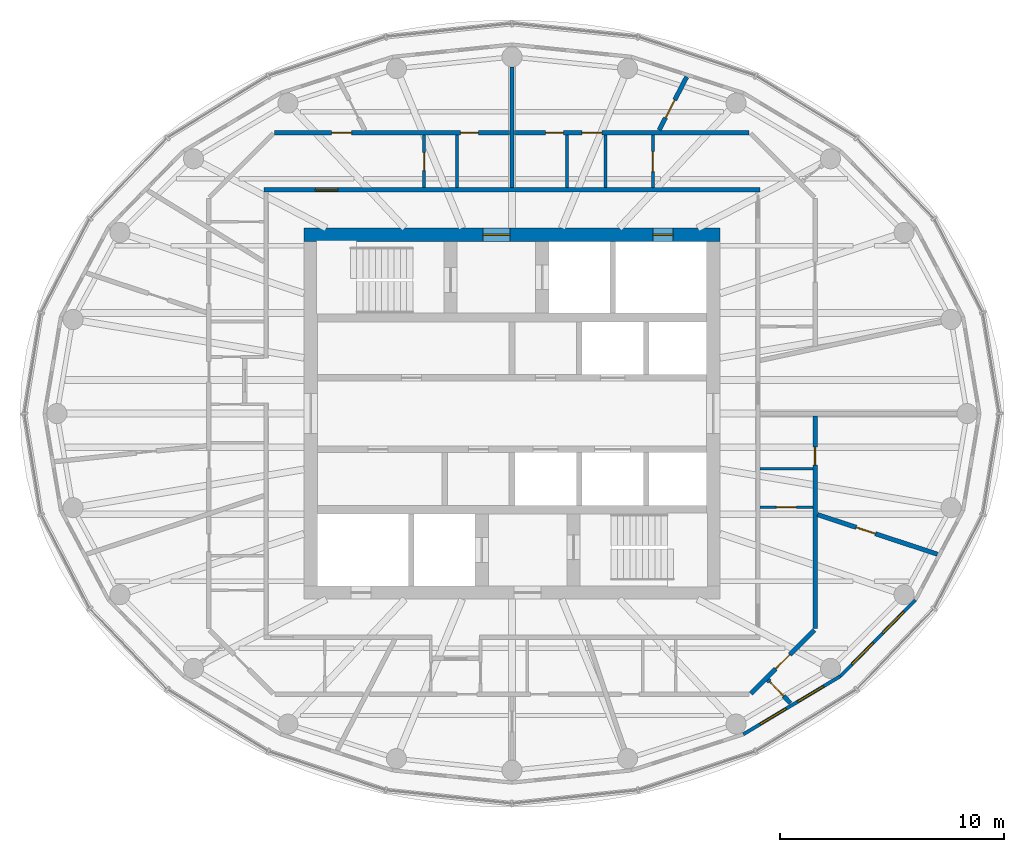
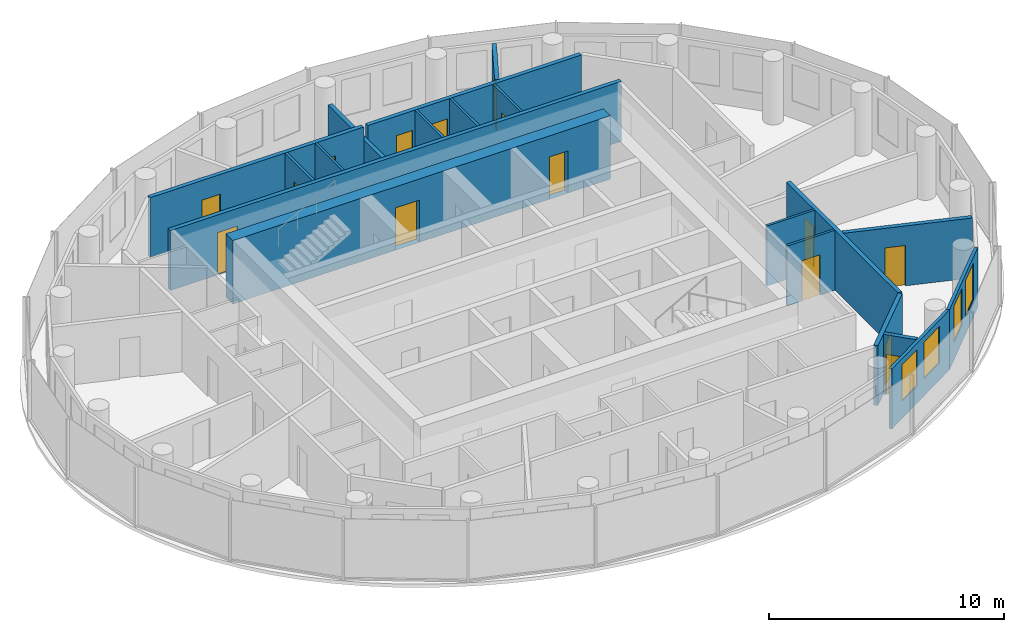
# One storey, part 8 of 11: 19 walls, 15 doors, 4 windows, 19 openings.
"""IFC4 building model written with IfcOpenShell, lengths in metres."""

from ifc_helpers import new_model, si_unit, direction, frame, frame_2d, origin, place, context, subcontext, project, spatial, rectangle, extrude, material, layer, layer_set, type_object, element, fill, save


model = new_model("IFC4")

# Units and contexts
model_context = context("Model", 3, precision=1e-05, world=origin(), true_north=direction((0.0, 1.0)))
body_context = subcontext(model_context, "Body", "Model", "MODEL_VIEW")
ifc_project = project(units=[si_unit("LENGTHUNIT", "METRE"), si_unit("AREAUNIT", "SQUARE_METRE"), si_unit("VOLUMEUNIT", "CUBIC_METRE"), si_unit("PLANEANGLEUNIT", "RADIAN"), si_unit("MASSUNIT", "GRAM", prefix="KILO")], contexts=[model_context])

# Site, building, storey
site_placement = place(None, origin())
site = spatial("IfcSite", under=ifc_project, at=site_placement, CompositionType="ELEMENT")
building_placement = place(site_placement, origin())
building = spatial("IfcBuilding", under=site, at=building_placement, Name="Hankou Lantern Tower", CompositionType="ELEMENT")
storey_placement = place(building_placement, frame((0.0, 0.0, 202.800048828125)))
storey = spatial("IfcBuildingStorey", under=building, at=storey_placement, Name="L54", CompositionType="ELEMENT", Elevation=202.800048828125)

# Wall, openings, doors
ifc_material_1 = material(Name="Concrete C60", Category="concrete")
ifc_layer_1 = layer(ifc_material_1, 0.60009765625)
ifc_layer_set_1 = layer_set([ifc_layer_1], Name="Concrete C60")
wall_type_1 = type_object("IfcWallType", Name="CW3 CORE WALL 600", PredefinedType="SHEAR", material=ifc_layer_set_1)
wall_1_placement = place(storey_placement, frame((-9.300048828125, 8.0, 0.0), z_axis=(0.0, 0.0, 1.0), x_axis=(1.0, 0.0, 0.0)))
wall_1 = element("IfcWall", 1, at=wall_1_placement, inside=storey, type_object=wall_type_1, Name="Core wall north L54", PredefinedType="SHEAR", context=body_context, shape_type="SweptSolid", body=[
    extrude(rectangle(XDim=18.60009765625, YDim=0.60009765625, at=frame_2d((9.300048828125, 0.0))), origin(), (0.0, 0.0, 1.0), 3.300048828125),
])
opening_1_placement = place(wall_1_placement, frame((8.0, 0.0, 0.0)))
opening_1 = element("IfcOpeningElement", 2, at=opening_1_placement, cuts=wall_1, Name="Opening D5", PredefinedType="OPENING", context=body_context, shape_type="SweptSolid", body=[
    extrude(rectangle(XDim=1.199951171875, YDim=2.199951171875, at=frame_2d((0.60009765625, 1.10009765625))), frame((0.0, 0.31005859375, 0.0), z_axis=(0.0, -1.0, 0.0), x_axis=(1.0, 0.0, 0.0)), (0.0, 0.0, 1.0), 0.6201171875),
])
opening_2_placement = place(wall_1_placement, frame((15.60009765625, 0.0, 0.0)))
opening_2 = element("IfcOpeningElement", 3, at=opening_2_placement, cuts=wall_1, Name="Opening D7", PredefinedType="OPENING", context=body_context, shape_type="SweptSolid", body=[
    extrude(rectangle(XDim=0.89990234375, YDim=2.199951171875, at=frame_2d((0.449951171875, 1.10009765625))), frame((0.0, 0.31005859375, 0.0), z_axis=(0.0, -1.0, 0.0), x_axis=(1.0, 0.0, 0.0)), (0.0, 0.0, 1.0), 0.6201171875),
])
ifc_material_2 = material(Name="Steel door leaf", Category="steel")
door_type_1 = type_object("IfcDoorType", Name="D5 STAIR LOBBY DOOR 1200X2200", OperationType="SINGLE_SWING_LEFT", PredefinedType="DOOR", material=ifc_material_2)
door_1_placement = place(opening_1_placement, origin())
door_1 = element("IfcDoor", 4, at=door_1_placement, inside=storey, type_object=door_type_1, Name="Stair A lobby door", OperationType="SINGLE_SWING_LEFT", OverallHeight=2.199951171875, OverallWidth=1.199951171875, PredefinedType="DOOR", context=body_context, shape_type="SweptSolid", body=[
    extrude(rectangle(XDim=1.199951171875, YDim=2.199951171875, at=frame_2d((0.60009765625, 1.10009765625))), frame((0.0, 0.02490234375, 0.0), z_axis=(0.0, -1.0, 0.0), x_axis=(1.0, 0.0, 0.0)), (0.0, 0.0, 1.0), 0.050048828125),
])
fill(opening_1, door_1)
ifc_material_3 = material(Name="Steel door leaf", Category="steel")
door_type_2 = type_object("IfcDoorType", Name="D7 RISER DOOR 900X2200", OperationType="SINGLE_SWING_LEFT", PredefinedType="DOOR", material=ifc_material_3)
door_2_placement = place(opening_2_placement, origin())
door_2 = element("IfcDoor", 5, at=door_2_placement, inside=storey, type_object=door_type_2, Name="Riser N1 door", OperationType="SINGLE_SWING_RIGHT", OverallHeight=2.199951171875, OverallWidth=0.89990234375, PredefinedType="DOOR", context=body_context, shape_type="SweptSolid", body=[
    extrude(rectangle(XDim=0.89990234375, YDim=2.199951171875, at=frame_2d((0.449951171875, 1.10009765625))), frame((0.0, 0.02490234375, 0.0), z_axis=(0.0, -1.0, 0.0), x_axis=(1.0, 0.0, 0.0)), (0.0, 0.0, 1.0), 0.050048828125),
])
fill(opening_2, door_2)

# Wall, openings, windows
ifc_material_4 = material(Name="Aluminium spandrel panel on steel studs", Category="steel")
ifc_layer_2 = layer(ifc_material_4, 0.14990234375)
ifc_layer_set_2 = layer_set([ifc_layer_2], Name="Aluminium spandrel panel on steel studs")
wall_type_2 = type_object("IfcWallType", Name="EW1 INNER SKIN WALL 150", PredefinedType="ELEMENTEDWALL", material=ifc_layer_set_2)
wall_2_placement = place(storey_placement, frame((10.346435546875, -14.33642578125, 0.0), z_axis=(0.0, 0.0, 1.0), x_axis=(0.85822150553, 0.513279502265, 0.0)))
wall_2 = element("IfcWall", 6, at=wall_2_placement, inside=storey, type_object=wall_type_2, Name="Inner skin R21-R22 L54", PredefinedType="ELEMENTEDWALL", context=body_context, shape_type="SweptSolid", body=[
    extrude(rectangle(XDim=5.050048828125, YDim=0.14990234375, at=frame_2d((2.52490234375, 0.0))), origin(), (0.0, 0.0, 1.0), 3.119873046875),
])
opening_3_placement = place(wall_2_placement, frame((0.875, 0.0, 0.89990234375)))
opening_3 = element("IfcOpeningElement", 7, at=opening_3_placement, cuts=wall_2, Name="Opening W4", PredefinedType="OPENING", context=body_context, shape_type="SweptSolid", body=[
    extrude(rectangle(XDim=1.35009765625, YDim=1.89990234375, at=frame_2d((0.675048828125, 0.949951171875))), frame((0.0, 0.0849609375, 0.0), z_axis=(0.0, -1.0, 0.0), x_axis=(1.0, 0.0, 0.0)), (0.0, 0.0, 1.0), 0.169921875),
])
opening_4_placement = place(wall_2_placement, frame((2.824951171875, 0.0, 0.89990234375)))
opening_4 = element("IfcOpeningElement", 8, at=opening_4_placement, cuts=wall_2, Name="Opening W4", PredefinedType="OPENING", context=body_context, shape_type="SweptSolid", body=[
    extrude(rectangle(XDim=1.35009765625, YDim=1.89990234375, at=frame_2d((0.675048828125, 0.949951171875))), frame((0.0, 0.0849609375, 0.0), z_axis=(0.0, -1.0, 0.0), x_axis=(1.0, 0.0, 0.0)), (0.0, 0.0, 1.0), 0.169921875),
])
ifc_material_5 = material(Name="Aluminium framed double glazed window", Category="aluminium")
window_type = type_object("IfcWindowType", Name="W4 SUITE WINDOW 1350X1900", PartitioningType="DOUBLE_PANEL_VERTICAL", PredefinedType="WINDOW", material=ifc_material_5)
window_1_placement = place(opening_3_placement, origin())
window_1 = element("IfcWindow", 9, at=window_1_placement, inside=storey, type_object=window_type, Name="Window R21.1 L54", OverallHeight=1.89990234375, OverallWidth=1.35009765625, PartitioningType="SINGLE_PANEL", PredefinedType="WINDOW", context=body_context, shape_type="SweptSolid", body=[
    extrude(rectangle(XDim=1.35009765625, YDim=1.89990234375, at=frame_2d((0.675048828125, 0.949951171875))), frame((0.0, 0.030029296875, 0.0), z_axis=(0.0, -1.0, 0.0), x_axis=(1.0, 0.0, 0.0)), (0.0, 0.0, 1.0), 0.06005859375),
])
fill(opening_3, window_1)
window_2_placement = place(opening_4_placement, origin())
window_2 = element("IfcWindow", 10, at=window_2_placement, inside=storey, type_object=window_type, Name="Window R21.2 L54", OverallHeight=1.89990234375, OverallWidth=1.35009765625, PartitioningType="SINGLE_PANEL", PredefinedType="WINDOW", context=body_context, shape_type="SweptSolid", body=[
    extrude(rectangle(XDim=1.35009765625, YDim=1.89990234375, at=frame_2d((0.675048828125, 0.949951171875))), frame((0.0, 0.030029296875, 0.0), z_axis=(0.0, -1.0, 0.0), x_axis=(1.0, 0.0, 0.0)), (0.0, 0.0, 1.0), 0.06005859375),
])
fill(opening_4, window_2)

wall_3_placement = place(storey_placement, frame((14.680419921875, -11.744384765625, 0.0), z_axis=(0.0, 0.0, 1.0), x_axis=(0.701527379618, 0.712642501993, 0.0)))
wall_3 = element("IfcWall", 11, at=wall_3_placement, inside=storey, type_object=wall_type_2, Name="Inner skin R22-R23 L54", PredefinedType="ELEMENTEDWALL", context=body_context, shape_type="SweptSolid", body=[
    extrude(rectangle(XDim=4.788330078125, YDim=0.14990234375, at=frame_2d((2.39404296875, 0.0))), origin(), (0.0, 0.0, 1.0), 3.119873046875),
])
opening_5_placement = place(wall_3_placement, frame((0.744140625, 0.0, 0.89990234375)))
opening_5 = element("IfcOpeningElement", 12, at=opening_5_placement, cuts=wall_3, Name="Opening W4", PredefinedType="OPENING", context=body_context, shape_type="SweptSolid", body=[
    extrude(rectangle(XDim=1.35009765625, YDim=1.89990234375, at=frame_2d((0.675048828125, 0.949951171875))), frame((0.0, 0.0849609375, 0.0), z_axis=(0.0, -1.0, 0.0), x_axis=(1.0, 0.0, 0.0)), (0.0, 0.0, 1.0), 0.169921875),
])
opening_6_placement = place(wall_3_placement, frame((2.694091796875, 0.0, 0.89990234375)))
opening_6 = element("IfcOpeningElement", 13, at=opening_6_placement, cuts=wall_3, Name="Opening W4", PredefinedType="OPENING", context=body_context, shape_type="SweptSolid", body=[
    extrude(rectangle(XDim=1.35009765625, YDim=1.89990234375, at=frame_2d((0.675048828125, 0.949951171875))), frame((0.0, 0.0849609375, 0.0), z_axis=(0.0, -1.0, 0.0), x_axis=(1.0, 0.0, 0.0)), (0.0, 0.0, 1.0), 0.169921875),
])
window_3_placement = place(opening_5_placement, origin())
window_3 = element("IfcWindow", 14, at=window_3_placement, inside=storey, type_object=window_type, Name="Window R22.1 L54", OverallHeight=1.89990234375, OverallWidth=1.35009765625, PartitioningType="SINGLE_PANEL", PredefinedType="WINDOW", context=body_context, shape_type="SweptSolid", body=[
    extrude(rectangle(XDim=1.35009765625, YDim=1.89990234375, at=frame_2d((0.675048828125, 0.949951171875))), frame((0.0, 0.030029296875, 0.0), z_axis=(0.0, -1.0, 0.0), x_axis=(1.0, 0.0, 0.0)), (0.0, 0.0, 1.0), 0.06005859375),
])
fill(opening_5, window_3)
window_4_placement = place(opening_6_placement, origin())
window_4 = element("IfcWindow", 15, at=window_4_placement, inside=storey, type_object=window_type, Name="Window R22.2 L54", OverallHeight=1.89990234375, OverallWidth=1.35009765625, PartitioningType="SINGLE_PANEL", PredefinedType="WINDOW", context=body_context, shape_type="SweptSolid", body=[
    extrude(rectangle(XDim=1.35009765625, YDim=1.89990234375, at=frame_2d((0.675048828125, 0.949951171875))), frame((0.0, 0.030029296875, 0.0), z_axis=(0.0, -1.0, 0.0), x_axis=(1.0, 0.0, 0.0)), (0.0, 0.0, 1.0), 0.06005859375),
])
fill(opening_6, window_4)

# Wall
ifc_material_6 = material(Name="Masonry lightweight concrete block", Category="masonry")
ifc_layer_3 = layer(ifc_material_6, 0.199951171875)
ifc_layer_set_3 = layer_set([ifc_layer_3], Name="Masonry lightweight concrete block")
wall_type_3 = type_object("IfcWallType", Name="IW1 GUEST ROOM PARTY WALL 200", PredefinedType="PARTITIONING", material=ifc_layer_set_3)
wall_4_placement = place(storey_placement, frame((0.0, 10.10009765625, 0.0), z_axis=(0.0, 0.0, 1.0), x_axis=(0.0, 1.0, 0.0)))
element("IfcWall", 16, at=wall_4_placement, inside=storey, type_object=wall_type_3, Name="Party wall R07", PredefinedType="PARTITIONING", context=body_context, shape_type="SweptSolid", body=[
    extrude(rectangle(XDim=5.39990234375, YDim=0.199951171875, at=frame_2d((2.699951171875, 0.0))), origin(), (0.0, 0.0, 1.0), 2.419921875),
])

# Wall, opening, door
ifc_material_7 = material(Name="Masonry lightweight concrete block", Category="masonry")
ifc_layer_4 = layer(ifc_material_7, 0.199951171875)
ifc_layer_set_4 = layer_set([ifc_layer_4], Name="Masonry lightweight concrete block")
wall_type_4 = type_object("IfcWallType", Name="IW2 CORRIDOR WALL 200", PredefinedType="PARTITIONING", material=ifc_layer_set_4)
wall_5_placement = place(storey_placement, frame((-11.10009765625, 10.0, 0.0), z_axis=(0.0, 0.0, 1.0), x_axis=(1.0, 0.0, 0.0)))
wall_5 = element("IfcWall", 17, at=wall_5_placement, inside=storey, type_object=wall_type_4, Name="Corridor wall north", PredefinedType="PARTITIONING", context=body_context, shape_type="SweptSolid", body=[
    extrude(rectangle(XDim=22.2001953125, YDim=0.199951171875, at=frame_2d((11.10009765625, 0.0))), origin(), (0.0, 0.0, 1.0), 3.119873046875),
])
opening_7_placement = place(wall_5_placement, frame((2.30908203125, 0.0, 0.0)))
opening_7 = element("IfcOpeningElement", 18, at=opening_7_placement, cuts=wall_5, Name="Opening D2", PredefinedType="OPENING", context=body_context, shape_type="SweptSolid", body=[
    extrude(rectangle(XDim=1.0, YDim=2.199951171875, at=frame_2d((0.5, 1.10009765625))), frame((0.0, 0.10986328125, 0.0), z_axis=(0.0, -1.0, 0.0), x_axis=(1.0, 0.0, 0.0)), (0.0, 0.0, 1.0), 0.219970703125),
])
ifc_material_8 = material(Name="Steel door leaf", Category="steel")
door_type_3 = type_object("IfcDoorType", Name="D2 SUITE DOOR 1000X2200", OperationType="SINGLE_SWING_LEFT", PredefinedType="DOOR", material=ifc_material_8)
door_3_placement = place(opening_7_placement, origin())
door_3 = element("IfcDoor", 19, at=door_3_placement, inside=storey, type_object=door_type_3, Name="Suite door 5403", OperationType="SINGLE_SWING_RIGHT", OverallHeight=2.199951171875, OverallWidth=1.0, PredefinedType="DOOR", context=body_context, shape_type="SweptSolid", body=[
    extrude(rectangle(XDim=1.0, YDim=2.199951171875, at=frame_2d((0.5, 1.10009765625))), frame((0.0, 0.02490234375, 0.0), z_axis=(0.0, -1.0, 0.0), x_axis=(1.0, 0.0, 0.0)), (0.0, 0.0, 1.0), 0.050048828125),
])
fill(opening_7, door_3)

ifc_material_9 = material(Name="Masonry lightweight concrete block", Category="masonry")
ifc_layer_5 = layer(ifc_material_9, 0.1201171875)
ifc_layer_set_5 = layer_set([ifc_layer_5], Name="Masonry lightweight concrete block")
wall_type_5 = type_object("IfcWallType", Name="IW3 BATHROOM WALL 120", PredefinedType="PARTITIONING", material=ifc_layer_set_5)
wall_6_placement = place(storey_placement, frame((6.301025390625, 10.10009765625, 0.0), z_axis=(0.0, 0.0, 1.0), x_axis=(0.0, 1.0, 0.0)))
wall_6 = element("IfcWall", 20, at=wall_6_placement, inside=storey, type_object=wall_type_5, Name="Box wall 5402 2", PredefinedType="PARTITIONING", context=body_context, shape_type="SweptSolid", body=[
    extrude(rectangle(XDim=2.349853515625, YDim=0.1201171875, at=frame_2d((1.1748046875, 0.0))), origin(), (0.0, 0.0, 1.0), 3.119873046875),
])
opening_8_placement = place(wall_6_placement, frame((0.719970703125, 0.0, 0.0)))
opening_8 = element("IfcOpeningElement", 21, at=opening_8_placement, cuts=wall_6, Name="Opening D27", PredefinedType="OPENING", context=body_context, shape_type="SweptSolid", body=[
    extrude(rectangle(XDim=0.89990234375, YDim=2.10009765625, at=frame_2d((0.449951171875, 1.050048828125))), frame((0.0, 0.070068359375, 0.0), z_axis=(0.0, -1.0, 0.0), x_axis=(1.0, 0.0, 0.0)), (0.0, 0.0, 1.0), 0.14013671875),
])
ifc_material_10 = material(Name="Timber door leaf", Category="wood")
door_type_4 = type_object("IfcDoorType", Name="D27 INTERNAL DOOR 900X2100", OperationType="SINGLE_SWING_LEFT", PredefinedType="DOOR", material=ifc_material_10)
door_4_placement = place(opening_8_placement, origin())
door_4 = element("IfcDoor", 22, at=door_4_placement, inside=storey, type_object=door_type_4, Name="Corner suite 5402 pantry door", OperationType="SINGLE_SWING_LEFT", OverallHeight=2.10009765625, OverallWidth=0.89990234375, PredefinedType="DOOR", context=body_context, shape_type="SweptSolid", body=[
    extrude(rectangle(XDim=0.89990234375, YDim=2.10009765625, at=frame_2d((0.449951171875, 1.050048828125))), frame((0.0, 0.02490234375, 0.0), z_axis=(0.0, -1.0, 0.0), x_axis=(1.0, 0.0, 0.0)), (0.0, 0.0, 1.0), 0.050048828125),
])
fill(opening_8, door_4)

# Walls
for number, where, z_axis, x_axis, name in (
    (23, (4.180908203125, 10.10009765625, 0.0), (0.0, 0.0, 1.0), (0.0, 1.0, 0.0), "Box wall 5402 3"),
    (24, (2.4609375, 10.10009765625, 0.0), (0.0, 0.0, 1.0), (0.0, 1.0, 0.0), "Box wall 5402 4"),
    (25, (-2.4609375, 10.10009765625, 0.0), (0.0, 0.0, 1.0), (0.0, 1.0, 0.0), "Box wall 5403 1"),
):
    element("IfcWall", number, at=place(storey_placement, frame(where, z_axis=z_axis, x_axis=x_axis)), inside=storey, type_object=wall_type_5, Name=name, PredefinedType="PARTITIONING", context=body_context, shape_type="SweptSolid", body=[
        extrude(rectangle(XDim=2.349853515625, YDim=0.1201171875, at=frame_2d((1.1748046875, 0.0))), origin(), (0.0, 0.0, 1.0), 3.119873046875),
    ])

# Wall, opening, door
wall_7_placement = place(storey_placement, frame((-3.930908203125, 10.10009765625, 0.0), z_axis=(0.0, 0.0, 1.0), x_axis=(0.0, 1.0, 0.0)))
wall_7 = element("IfcWall", 26, at=wall_7_placement, inside=storey, type_object=wall_type_5, Name="Box wall 5403 2", PredefinedType="PARTITIONING", context=body_context, shape_type="SweptSolid", body=[
    extrude(rectangle(XDim=2.349853515625, YDim=0.1201171875, at=frame_2d((1.1748046875, 0.0))), origin(), (0.0, 0.0, 1.0), 3.119873046875),
])
opening_9_placement = place(wall_7_placement, frame((0.77001953125, 0.0, 0.0)))
opening_9 = element("IfcOpeningElement", 27, at=opening_9_placement, cuts=wall_7, Name="Opening D3", PredefinedType="OPENING", context=body_context, shape_type="SweptSolid", body=[
    extrude(rectangle(XDim=0.800048828125, YDim=2.10009765625, at=frame_2d((0.39990234375, 1.050048828125))), frame((0.0, 0.070068359375, 0.0), z_axis=(0.0, -1.0, 0.0), x_axis=(1.0, 0.0, 0.0)), (0.0, 0.0, 1.0), 0.14013671875),
])
ifc_material_11 = material(Name="Timber door leaf", Category="wood")
door_type_5 = type_object("IfcDoorType", Name="D3 BATHROOM DOOR 800X2100", OperationType="SINGLE_SWING_LEFT", PredefinedType="DOOR", material=ifc_material_11)
door_5_placement = place(opening_9_placement, origin())
door_5 = element("IfcDoor", 28, at=door_5_placement, inside=storey, type_object=door_type_5, Name="Suite 5403 guest WC door", OperationType="SINGLE_SWING_LEFT", OverallHeight=2.10009765625, OverallWidth=0.800048828125, PredefinedType="DOOR", context=body_context, shape_type="SweptSolid", body=[
    extrude(rectangle(XDim=0.800048828125, YDim=2.10009765625, at=frame_2d((0.39990234375, 1.050048828125))), frame((0.0, 0.02490234375, 0.0), z_axis=(0.0, -1.0, 0.0), x_axis=(1.0, 0.0, 0.0)), (0.0, 0.0, 1.0), 0.050048828125),
])
fill(opening_9, door_5)

wall_8_placement = place(storey_placement, frame((11.10009765625, -4.180908203125, 0.0), z_axis=(0.0, 0.0, 1.0), x_axis=(1.0, 0.0, 0.0)))
wall_8 = element("IfcWall", 29, at=wall_8_placement, inside=storey, type_object=wall_type_5, Name="Box wall 5407 3", PredefinedType="PARTITIONING", context=body_context, shape_type="SweptSolid", body=[
    extrude(rectangle(XDim=2.349853515625, YDim=0.1201171875, at=frame_2d((1.1748046875, 0.0))), origin(), (0.0, 0.0, 1.0), 3.119873046875),
])
opening_10_placement = place(wall_8_placement, frame((0.719970703125, 0.0, 0.0)))
opening_10 = element("IfcOpeningElement", 30, at=opening_10_placement, cuts=wall_8, Name="Opening D27", PredefinedType="OPENING", context=body_context, shape_type="SweptSolid", body=[
    extrude(rectangle(XDim=0.89990234375, YDim=2.10009765625, at=frame_2d((0.449951171875, 1.050048828125))), frame((0.0, 0.070068359375, 0.0), z_axis=(0.0, -1.0, 0.0), x_axis=(1.0, 0.0, 0.0)), (0.0, 0.0, 1.0), 0.14013671875),
])
door_6_placement = place(opening_10_placement, origin())
door_6 = element("IfcDoor", 31, at=door_6_placement, inside=storey, type_object=door_type_4, Name="Family suite 5407 walk-in wardrobe door", OperationType="SINGLE_SWING_LEFT", OverallHeight=2.10009765625, OverallWidth=0.89990234375, PredefinedType="DOOR", context=body_context, shape_type="SweptSolid", body=[
    extrude(rectangle(XDim=0.89990234375, YDim=2.10009765625, at=frame_2d((0.449951171875, 1.050048828125))), frame((0.0, 0.02490234375, 0.0), z_axis=(0.0, -1.0, 0.0), x_axis=(1.0, 0.0, 0.0)), (0.0, 0.0, 1.0), 0.050048828125),
])
fill(opening_10, door_6)

# Wall
wall_9_placement = place(storey_placement, frame((11.10009765625, -2.4609375, 0.0), z_axis=(0.0, 0.0, 1.0), x_axis=(1.0, 0.0, 0.0)))
element("IfcWall", 32, at=wall_9_placement, inside=storey, type_object=wall_type_5, Name="Box wall 5407 4", PredefinedType="PARTITIONING", context=body_context, shape_type="SweptSolid", body=[
    extrude(rectangle(XDim=2.349853515625, YDim=0.1201171875, at=frame_2d((1.1748046875, 0.0))), origin(), (0.0, 0.0, 1.0), 3.119873046875),
])

# Wall, openings, doors
ifc_material_12 = material(Name="Masonry lightweight concrete block", Category="masonry")
ifc_layer_6 = layer(ifc_material_12, 0.199951171875)
ifc_layer_set_6 = layer_set([ifc_layer_6], Name="Masonry lightweight concrete block")
wall_type_6 = type_object("IfcWallType", Name="IW6 SUITE PARTITION 200", PredefinedType="PARTITIONING", material=ifc_layer_set_6)
wall_10_placement = place(storey_placement, frame((10.608642578125, 12.550048828125, 0.0), z_axis=(0.0, 0.0, 1.0), x_axis=(-1.0, 0.0, 0.0)))
wall_10 = element("IfcWall", 33, at=wall_10_placement, inside=storey, type_object=wall_type_6, Name="Suite foyer wall 5402", PredefinedType="PARTITIONING", context=body_context, shape_type="SweptSolid", body=[
    extrude(rectangle(XDim=10.507568359375, YDim=0.199951171875, at=frame_2d((5.25390625, 0.0))), origin(), (0.0, 0.0, 1.0), 3.119873046875),
])
opening_11_placement = place(wall_10_placement, frame((6.587646484375, 0.0, 0.0)))
opening_11 = element("IfcOpeningElement", 34, at=opening_11_placement, cuts=wall_10, Name="Opening D27", PredefinedType="OPENING", context=body_context, shape_type="SweptSolid", body=[
    extrude(rectangle(XDim=0.89990234375, YDim=2.10009765625, at=frame_2d((0.449951171875, 1.050048828125))), frame((0.0, 0.10986328125, 0.0), z_axis=(0.0, -1.0, 0.0), x_axis=(1.0, 0.0, 0.0)), (0.0, 0.0, 1.0), 0.219970703125),
])
opening_12_placement = place(wall_10_placement, frame((8.3076171875, 0.0, 0.0)))
opening_12 = element("IfcOpeningElement", 35, at=opening_12_placement, cuts=wall_10, Name="Opening D3", PredefinedType="OPENING", context=body_context, shape_type="SweptSolid", body=[
    extrude(rectangle(XDim=0.800048828125, YDim=2.10009765625, at=frame_2d((0.39990234375, 1.050048828125))), frame((0.0, 0.10986328125, 0.0), z_axis=(0.0, -1.0, 0.0), x_axis=(1.0, 0.0, 0.0)), (0.0, 0.0, 1.0), 0.219970703125),
])
door_7_placement = place(opening_11_placement, origin())
door_7 = element("IfcDoor", 36, at=door_7_placement, inside=storey, type_object=door_type_4, Name="Corner suite 5402 walk-in wardrobe door", OperationType="SINGLE_SWING_LEFT", OverallHeight=2.10009765625, OverallWidth=0.89990234375, PredefinedType="DOOR", context=body_context, shape_type="SweptSolid", body=[
    extrude(rectangle(XDim=0.89990234375, YDim=2.10009765625, at=frame_2d((0.449951171875, 1.050048828125))), frame((0.0, 0.02490234375, 0.0), z_axis=(0.0, -1.0, 0.0), x_axis=(1.0, 0.0, 0.0)), (0.0, 0.0, 1.0), 0.050048828125),
])
fill(opening_11, door_7)
door_8_placement = place(opening_12_placement, origin())
door_8 = element("IfcDoor", 37, at=door_8_placement, inside=storey, type_object=door_type_5, Name="Corner suite 5402 bathroom door", OperationType="SINGLE_SWING_LEFT", OverallHeight=2.10009765625, OverallWidth=0.800048828125, PredefinedType="DOOR", context=body_context, shape_type="SweptSolid", body=[
    extrude(rectangle(XDim=0.800048828125, YDim=2.10009765625, at=frame_2d((0.39990234375, 1.050048828125))), frame((0.0, 0.02490234375, 0.0), z_axis=(0.0, -1.0, 0.0), x_axis=(1.0, 0.0, 0.0)), (0.0, 0.0, 1.0), 0.050048828125),
])
fill(opening_12, door_8)

# Wall, opening, door
wall_11_placement = place(storey_placement, frame((6.578125, 12.676513671875, 0.0), z_axis=(0.0, 0.0, 1.0), x_axis=(0.460620531465, 0.887597164255, 0.0)))
wall_11 = element("IfcWall", 38, at=wall_11_placement, inside=storey, type_object=wall_type_6, Name="Suite partition R05-R06", PredefinedType="PARTITIONING", context=body_context, shape_type="SweptSolid", body=[
    extrude(rectangle(XDim=2.677734375, YDim=0.199951171875, at=frame_2d((1.3388671875, 0.0))), origin(), (0.0, 0.0, 1.0), 3.119873046875),
])
opening_13_placement = place(wall_11_placement, frame((0.6201171875, 0.0, 0.0)))
opening_13 = element("IfcOpeningElement", 39, at=opening_13_placement, cuts=wall_11, Name="Opening D27", PredefinedType="OPENING", context=body_context, shape_type="SweptSolid", body=[
    extrude(rectangle(XDim=0.89990234375, YDim=2.10009765625, at=frame_2d((0.449951171875, 1.050048828125))), frame((0.0, 0.10986328125, 0.0), z_axis=(0.0, -1.0, 0.0), x_axis=(1.0, 0.0, 0.0)), (0.0, 0.0, 1.0), 0.219970703125),
])
door_9_placement = place(opening_13_placement, origin())
door_9 = element("IfcDoor", 40, at=door_9_placement, inside=storey, type_object=door_type_4, Name="Corner suite 5402 bedroom door", OperationType="SINGLE_SWING_LEFT", OverallHeight=2.10009765625, OverallWidth=0.89990234375, PredefinedType="DOOR", context=body_context, shape_type="SweptSolid", body=[
    extrude(rectangle(XDim=0.89990234375, YDim=2.10009765625, at=frame_2d((0.449951171875, 1.050048828125))), frame((0.0, 0.02490234375, 0.0), z_axis=(0.0, -1.0, 0.0), x_axis=(1.0, 0.0, 0.0)), (0.0, 0.0, 1.0), 0.050048828125),
])
fill(opening_13, door_9)

# Wall, openings, doors
wall_12_placement = place(storey_placement, frame((-0.10107421875, 12.550048828125, 0.0), z_axis=(0.0, 0.0, 1.0), x_axis=(-1.0, 0.0, 0.0)))
wall_12 = element("IfcWall", 41, at=wall_12_placement, inside=storey, type_object=wall_type_6, Name="Suite foyer wall 5403", PredefinedType="PARTITIONING", context=body_context, shape_type="SweptSolid", body=[
    extrude(rectangle(XDim=10.507568359375, YDim=0.199951171875, at=frame_2d((5.25390625, 0.0))), origin(), (0.0, 0.0, 1.0), 3.119873046875),
])
opening_14_placement = place(wall_12_placement, frame((1.39990234375, 0.0, 0.0)))
opening_14 = element("IfcOpeningElement", 42, at=opening_14_placement, cuts=wall_12, Name="Opening D3", PredefinedType="OPENING", context=body_context, shape_type="SweptSolid", body=[
    extrude(rectangle(XDim=0.800048828125, YDim=2.10009765625, at=frame_2d((0.39990234375, 1.050048828125))), frame((0.0, 0.10986328125, 0.0), z_axis=(0.0, -1.0, 0.0), x_axis=(1.0, 0.0, 0.0)), (0.0, 0.0, 1.0), 0.219970703125),
])
opening_15_placement = place(wall_12_placement, frame((7.070068359375, 0.0, 0.0)))
opening_15 = element("IfcOpeningElement", 43, at=opening_15_placement, cuts=wall_12, Name="Opening D27", PredefinedType="OPENING", context=body_context, shape_type="SweptSolid", body=[
    extrude(rectangle(XDim=0.89990234375, YDim=2.10009765625, at=frame_2d((0.449951171875, 1.050048828125))), frame((0.0, 0.10986328125, 0.0), z_axis=(0.0, -1.0, 0.0), x_axis=(1.0, 0.0, 0.0)), (0.0, 0.0, 1.0), 0.219970703125),
])
door_10_placement = place(opening_15_placement, origin())
door_10 = element("IfcDoor", 44, at=door_10_placement, inside=storey, type_object=door_type_4, Name="Suite 5403 living room door", OperationType="SINGLE_SWING_LEFT", OverallHeight=2.10009765625, OverallWidth=0.89990234375, PredefinedType="DOOR", context=body_context, shape_type="SweptSolid", body=[
    extrude(rectangle(XDim=0.89990234375, YDim=2.10009765625, at=frame_2d((0.449951171875, 1.050048828125))), frame((0.0, 0.02490234375, 0.0), z_axis=(0.0, -1.0, 0.0), x_axis=(1.0, 0.0, 0.0)), (0.0, 0.0, 1.0), 0.050048828125),
])
fill(opening_15, door_10)
door_11_placement = place(opening_14_placement, origin())
door_11 = element("IfcDoor", 45, at=door_11_placement, inside=storey, type_object=door_type_5, Name="Suite 5403 bathroom door", OperationType="SINGLE_SWING_RIGHT", OverallHeight=2.10009765625, OverallWidth=0.800048828125, PredefinedType="DOOR", context=body_context, shape_type="SweptSolid", body=[
    extrude(rectangle(XDim=0.800048828125, YDim=2.10009765625, at=frame_2d((0.39990234375, 1.050048828125))), frame((0.0, 0.02490234375, 0.0), z_axis=(0.0, -1.0, 0.0), x_axis=(1.0, 0.0, 0.0)), (0.0, 0.0, 1.0), 0.050048828125),
])
fill(opening_14, door_11)

# Wall, opening, door
wall_13_placement = place(storey_placement, frame((10.67919921875, -12.520751953125, 0.0), z_axis=(0.0, 0.0, 1.0), x_axis=(0.707106781187, 0.707106781187, 0.0)))
wall_13 = element("IfcWall", 46, at=wall_13_placement, inside=storey, type_object=wall_type_6, Name="Suite foyer wall 5407", PredefinedType="PARTITIONING", context=body_context, shape_type="SweptSolid", body=[
    extrude(rectangle(XDim=4.0185546875, YDim=0.199951171875, at=frame_2d((2.00927734375, 0.0))), origin(), (0.0, 0.0, 1.0), 3.119873046875),
])
opening_16_placement = place(wall_13_placement, frame((1.570068359375, 0.0, 0.0)))
opening_16 = element("IfcOpeningElement", 47, at=opening_16_placement, cuts=wall_13, Name="Opening D27", PredefinedType="OPENING", context=body_context, shape_type="SweptSolid", body=[
    extrude(rectangle(XDim=0.89990234375, YDim=2.10009765625, at=frame_2d((0.449951171875, 1.050048828125))), frame((0.0, 0.10986328125, 0.0), z_axis=(0.0, -1.0, 0.0), x_axis=(1.0, 0.0, 0.0)), (0.0, 0.0, 1.0), 0.219970703125),
])
door_12_placement = place(opening_16_placement, origin())
door_12 = element("IfcDoor", 48, at=door_12_placement, inside=storey, type_object=door_type_4, Name="Family suite 5407 living room door", OperationType="SINGLE_SWING_RIGHT", OverallHeight=2.10009765625, OverallWidth=0.89990234375, PredefinedType="DOOR", context=body_context, shape_type="SweptSolid", body=[
    extrude(rectangle(XDim=0.89990234375, YDim=2.10009765625, at=frame_2d((0.449951171875, 1.050048828125))), frame((0.0, 0.02490234375, 0.0), z_axis=(0.0, -1.0, 0.0), x_axis=(1.0, 0.0, 0.0)), (0.0, 0.0, 1.0), 0.050048828125),
])
fill(opening_16, door_12)

wall_14_placement = place(storey_placement, frame((13.550048828125, -9.608642578125, 0.0), z_axis=(0.0, 0.0, 1.0), x_axis=(0.0, 1.0, 0.0)))
wall_14 = element("IfcWall", 49, at=wall_14_placement, inside=storey, type_object=wall_type_6, Name="Suite foyer wall 5407", PredefinedType="PARTITIONING", context=body_context, shape_type="SweptSolid", body=[
    extrude(rectangle(XDim=9.507568359375, YDim=0.199951171875, at=frame_2d((4.75390625, 0.0))), origin(), (0.0, 0.0, 1.0), 3.119873046875),
])
opening_17_placement = place(wall_14_placement, frame((7.3076171875, 0.0, 0.0)))
opening_17 = element("IfcOpeningElement", 50, at=opening_17_placement, cuts=wall_14, Name="Opening D3", PredefinedType="OPENING", context=body_context, shape_type="SweptSolid", body=[
    extrude(rectangle(XDim=0.800048828125, YDim=2.10009765625, at=frame_2d((0.39990234375, 1.050048828125))), frame((0.0, 0.10986328125, 0.0), z_axis=(0.0, -1.0, 0.0), x_axis=(1.0, 0.0, 0.0)), (0.0, 0.0, 1.0), 0.219970703125),
])
door_13_placement = place(opening_17_placement, origin())
door_13 = element("IfcDoor", 51, at=door_13_placement, inside=storey, type_object=door_type_5, Name="Family suite 5407 second bathroom door", OperationType="SINGLE_SWING_LEFT", OverallHeight=2.10009765625, OverallWidth=0.800048828125, PredefinedType="DOOR", context=body_context, shape_type="SweptSolid", body=[
    extrude(rectangle(XDim=0.800048828125, YDim=2.10009765625, at=frame_2d((0.39990234375, 1.050048828125))), frame((0.0, 0.02490234375, 0.0), z_axis=(0.0, -1.0, 0.0), x_axis=(1.0, 0.0, 0.0)), (0.0, 0.0, 1.0), 0.050048828125),
])
fill(opening_17, door_13)

wall_15_placement = place(storey_placement, frame((11.44091796875, -11.900390625, 0.0), z_axis=(0.0, 0.0, 1.0), x_axis=(0.692958717259, -0.720977264672, 0.0)))
wall_15 = element("IfcWall", 52, at=wall_15_placement, inside=storey, type_object=wall_type_6, Name="Suite partition R21-R22", PredefinedType="PARTITIONING", context=body_context, shape_type="SweptSolid", body=[
    extrude(rectangle(XDim=1.4638671875, YDim=0.199951171875, at=frame_2d((0.73193359375, 0.0))), origin(), (0.0, 0.0, 1.0), 3.119873046875),
])
opening_18_placement = place(wall_15_placement, frame((0.1201171875, 0.0, 0.0)))
opening_18 = element("IfcOpeningElement", 53, at=opening_18_placement, cuts=wall_15, Name="Opening D27", PredefinedType="OPENING", context=body_context, shape_type="SweptSolid", body=[
    extrude(rectangle(XDim=0.89990234375, YDim=2.10009765625, at=frame_2d((0.449951171875, 1.050048828125))), frame((0.0, 0.10986328125, 0.0), z_axis=(0.0, -1.0, 0.0), x_axis=(1.0, 0.0, 0.0)), (0.0, 0.0, 1.0), 0.219970703125),
])
door_14_placement = place(opening_18_placement, origin())
door_14 = element("IfcDoor", 54, at=door_14_placement, inside=storey, type_object=door_type_4, Name="Family suite 5407 bedroom door", OperationType="SINGLE_SWING_LEFT", OverallHeight=2.10009765625, OverallWidth=0.89990234375, PredefinedType="DOOR", context=body_context, shape_type="SweptSolid", body=[
    extrude(rectangle(XDim=0.89990234375, YDim=2.10009765625, at=frame_2d((0.449951171875, 1.050048828125))), frame((0.0, 0.02490234375, 0.0), z_axis=(0.0, -1.0, 0.0), x_axis=(1.0, 0.0, 0.0)), (0.0, 0.0, 1.0), 0.050048828125),
])
fill(opening_18, door_14)

wall_16_placement = place(storey_placement, frame((13.664306640625, -4.516357421875, 0.0), z_axis=(0.0, 0.0, 1.0), x_axis=(0.949481375941, -0.313823384632, 0.0)))
wall_16 = element("IfcWall", 55, at=wall_16_placement, inside=storey, type_object=wall_type_6, Name="Suite partition R23-R24", PredefinedType="PARTITIONING", context=body_context, shape_type="SweptSolid", body=[
    extrude(rectangle(XDim=5.637939453125, YDim=0.199951171875, at=frame_2d((2.81884765625, 0.0))), origin(), (0.0, 0.0, 1.0), 3.119873046875),
])
opening_19_placement = place(wall_16_placement, frame((1.820068359375, 0.0, 0.0)))
opening_19 = element("IfcOpeningElement", 56, at=opening_19_placement, cuts=wall_16, Name="Opening D27", PredefinedType="OPENING", context=body_context, shape_type="SweptSolid", body=[
    extrude(rectangle(XDim=0.89990234375, YDim=2.10009765625, at=frame_2d((0.449951171875, 1.050048828125))), frame((0.0, 0.10986328125, 0.0), z_axis=(0.0, -1.0, 0.0), x_axis=(1.0, 0.0, 0.0)), (0.0, 0.0, 1.0), 0.219970703125),
])
door_15_placement = place(opening_19_placement, origin())
door_15 = element("IfcDoor", 57, at=door_15_placement, inside=storey, type_object=door_type_4, Name="Family suite 5407 second bedroom door", OperationType="SINGLE_SWING_LEFT", OverallHeight=2.10009765625, OverallWidth=0.89990234375, PredefinedType="DOOR", context=body_context, shape_type="SweptSolid", body=[
    extrude(rectangle(XDim=0.89990234375, YDim=2.10009765625, at=frame_2d((0.449951171875, 1.050048828125))), frame((0.0, 0.02490234375, 0.0), z_axis=(0.0, -1.0, 0.0), x_axis=(1.0, 0.0, 0.0)), (0.0, 0.0, 1.0), 0.050048828125),
])
fill(opening_19, door_15)

save(model, "model.ifc")
